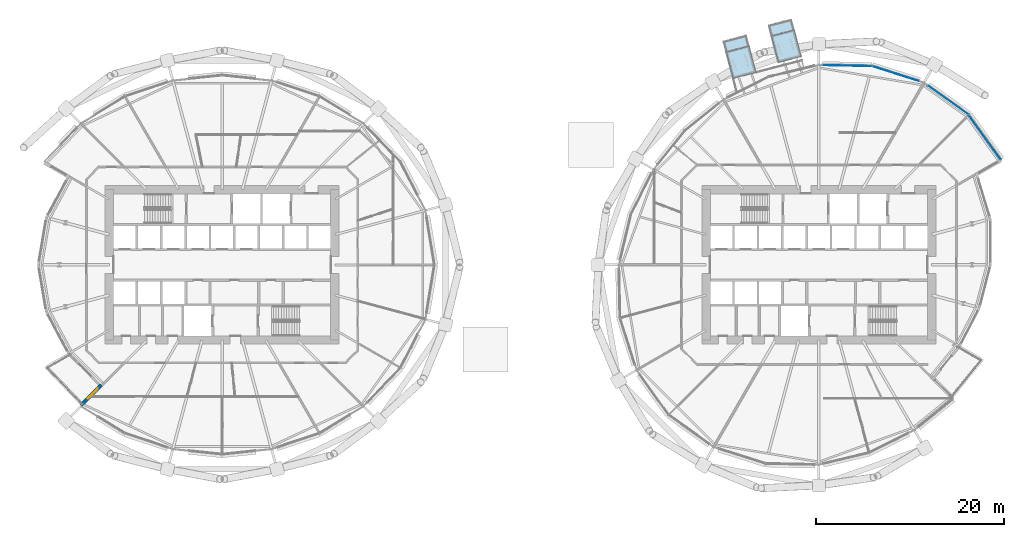
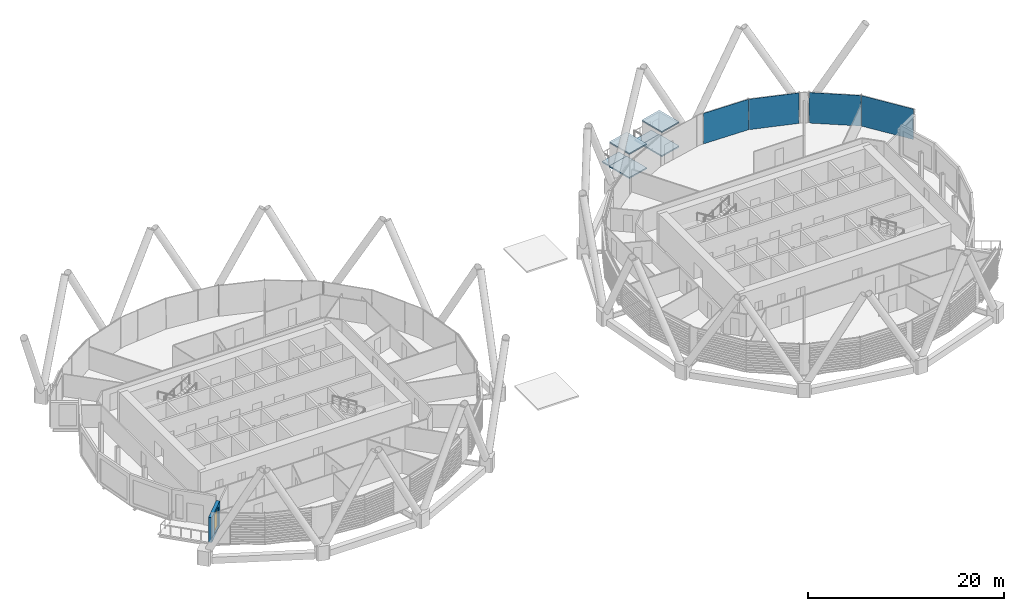
# One storey, part 21 of 34: 6 slabs, 4 plates, 1 wall, 1 window, 1 opening, 1 element without a shape of its own.
"""IFC4 building model written with IfcOpenShell, lengths in metres."""

from ifc_helpers import new_model, si_unit, direction, frame, frame_2d, origin, origin_2d, place, context, subcontext, project, spatial, polyline, rectangle, outline, extrude, material, layer, layer_set, type_object, element, fill, aggregate, save


model = new_model("IFC4")

# Units and contexts
model_context = context("Model", 3, precision=1e-05, world=origin(), true_north=direction((0.0, 1.0)))
body_context = subcontext(model_context, "Body", "Model", "MODEL_VIEW")
ifc_project = project(units=[si_unit("LENGTHUNIT", "METRE"), si_unit("AREAUNIT", "SQUARE_METRE"), si_unit("VOLUMEUNIT", "CUBIC_METRE"), si_unit("PLANEANGLEUNIT", "RADIAN"), si_unit("MASSUNIT", "GRAM", prefix="KILO")], contexts=[model_context])

# Site, building, storey
site_placement = place(None, origin())
site = spatial("IfcSite", under=ifc_project, at=site_placement, CompositionType="ELEMENT")
building_placement = place(site_placement, origin())
building = spatial("IfcBuilding", under=site, at=building_placement, Name="Rimbun Link Towers", CompositionType="ELEMENT")
storey_placement = place(building_placement, frame((0.0, 0.0, 41.39990234375)))
storey = spatial("IfcBuildingStorey", under=building, at=storey_placement, Name="L09", CompositionType="ELEMENT", Elevation=41.39990234375)

# Slabs
ifc_material_1 = material(Name="Insulated metal floor panel on steel frame", Category="steel")
ifc_layer_1 = layer(ifc_material_1, 0.159912109375)
ifc_layer_set_1 = layer_set([ifc_layer_1], Name="CAPSULE balcony panel 160")
slab_type_1 = type_object("IfcSlabType", Name="CAPSULE balcony panel 160", PredefinedType="FLOOR", material=ifc_layer_set_1)
slab_1_placement = place(storey_placement, frame((0.0, 0.0, -0.159912109375)))
element("IfcSlab", 1, at=slab_1_placement, inside=storey, type_object=slab_type_1, Name="CAPSULE D092.01 balcony floor", PredefinedType="FLOOR", context=body_context, shape_type="SweptSolid", body=[
    extrude(outline(polyline([(23.991455078125, 24.329345703125), (21.669677734375, 23.72119140625), (21.948486328125, 22.656982421875), (24.27001953125, 23.26513671875), (23.991455078125, 24.329345703125)])), origin(), (0.0, 0.0, 1.0), 0.159912109375),
])
slab_2_placement = place(storey_placement, frame((0.0, 0.0, -0.159912109375)))
element("IfcSlab", 2, at=slab_2_placement, inside=storey, type_object=slab_type_1, Name="CAPSULE D092.02 balcony floor", PredefinedType="FLOOR", context=body_context, shape_type="SweptSolid", body=[
    extrude(outline(polyline([(28.79931640625, 26.030517578125), (26.4775390625, 25.422607421875), (26.75634765625, 24.3583984375), (29.077880859375, 24.966552734375), (28.79931640625, 26.030517578125)])), origin(), (0.0, 0.0, 1.0), 0.159912109375),
])
ifc_material_2 = material(Name="Insulated metal floor panel on steel frame", Category="steel")
ifc_layer_2 = layer(ifc_material_2, 0.159912109375)
ifc_layer_set_2 = layer_set([ifc_layer_2], Name="CAPSULE floor panel 160")
slab_type_2 = type_object("IfcSlabType", Name="CAPSULE floor panel 160", PredefinedType="FLOOR", material=ifc_layer_set_2)
slab_3_placement = place(storey_placement, frame((0.0, 0.0, -0.159912109375)))
element("IfcSlab", 3, at=slab_3_placement, inside=storey, type_object=slab_type_2, Name="CAPSULE D092.01 floor panel", PredefinedType="FLOOR", context=body_context, shape_type="SweptSolid", body=[
    extrude(outline(polyline([(24.318603515625, 23.27783203125), (21.900146484375, 22.644287109375), (22.634765625, 19.839111328125), (25.05322265625, 20.472412109375), (24.318603515625, 23.27783203125)])), origin(), (0.0, 0.0, 1.0), 0.159912109375),
])
slab_4_placement = place(storey_placement, frame((0.0, 0.0, -0.159912109375)))
element("IfcSlab", 4, at=slab_4_placement, inside=storey, type_object=slab_type_2, Name="CAPSULE D092.02 floor panel", PredefinedType="FLOOR", context=body_context, shape_type="SweptSolid", body=[
    extrude(outline(polyline([(29.126220703125, 24.979248046875), (26.7080078125, 24.345703125), (27.442626953125, 21.540283203125), (29.861083984375, 22.173828125), (29.126220703125, 24.979248046875)])), origin(), (0.0, 0.0, 1.0), 0.159912109375),
])
ifc_material_3 = material(Name="Insulated metal roof panel with terracotta fascia", Category="masonry")
ifc_layer_3 = layer(ifc_material_3, 0.14990234375)
ifc_layer_set_3 = layer_set([ifc_layer_3], Name="CAPSULE roof panel 150")
slab_type_3 = type_object("IfcSlabType", Name="CAPSULE roof panel 150", PredefinedType="ROOF", material=ifc_layer_set_3)
slab_5_placement = place(storey_placement, frame((0.0, 0.0, 2.85009765625)))
element("IfcSlab", 5, at=slab_5_placement, inside=storey, type_object=slab_type_3, Name="CAPSULE D092.01 roof panel", PredefinedType="ROOF", context=body_context, shape_type="SweptSolid", body=[
    extrude(outline(polyline([(24.318603515625, 23.27783203125), (21.900146484375, 22.644287109375), (22.634765625, 19.839111328125), (25.05322265625, 20.472412109375), (24.318603515625, 23.27783203125)])), origin(), (0.0, 0.0, 1.0), 0.14990234375),
])
slab_6_placement = place(storey_placement, frame((0.0, 0.0, 2.85009765625)))
element("IfcSlab", 6, at=slab_6_placement, inside=storey, type_object=slab_type_3, Name="CAPSULE D092.02 roof panel", PredefinedType="ROOF", context=body_context, shape_type="SweptSolid", body=[
    extrude(outline(polyline([(29.126220703125, 24.979248046875), (26.7080078125, 24.345703125), (27.442626953125, 21.540283203125), (29.861083984375, 22.173828125), (29.126220703125, 24.979248046875)])), origin(), (0.0, 0.0, 1.0), 0.14990234375),
])

# Curtain wall, plates
ifc_material_4 = material(Name="Aluminium 6063-T6 and low-iron glass", Category="aluminium")
curtain_wall_type = type_object("IfcCurtainWallType", Name="CW1 unitised vision wall", PredefinedType="NOTDEFINED", material=ifc_material_4)
curtain_wall_placement = place(storey_placement, origin())
curtain_wall = element("IfcCurtainWall", 7, at=curtain_wall_placement, inside=storey, type_object=curtain_wall_type, Name="CW1 L09 T2", PredefinedType="NOTDEFINED")
ifc_material_5 = material(Name="Low-iron glass, laminated low-e unit", Category="glass")
ifc_layer_4 = layer(ifc_material_5, 0.028076171875)
ifc_layer_set_4 = layer_set([ifc_layer_4], Name="CW1 panel Low-iron glass 28")
plate_type = type_object("IfcPlateType", Name="CW1 panel Low-iron glass 28", PredefinedType="CURTAIN_PANEL", material=ifc_layer_set_4)
plate_1_placement = place(storey_placement, frame((45.51904296875, 17.51416015625, 0.0), z_axis=(0.0, 0.0, 1.0), x_axis=(0.812475373202, -0.582995512796, 0.0)))
plate_1 = element("IfcPlate", 8, at=plate_1_placement, type_object=plate_type, Name="CW1 panel", PredefinedType="CURTAIN_PANEL", context=body_context, shape_type="SweptSolid", body=[
    extrude(rectangle(XDim=5.32275390625, YDim=0.028076171875, at=origin_2d()), origin(), (0.0, 0.0, 1.0), 3.800048828125),
])
plate_2_placement = place(storey_placement, frame((39.9326171875, 20.32421875, 0.0), z_axis=(0.0, 0.0, 1.0), x_axis=(0.952967950316, -0.303071090127, 0.0)))
plate_2 = element("IfcPlate", 9, at=plate_2_placement, type_object=plate_type, Name="CW1 panel", PredefinedType="CURTAIN_PANEL", context=body_context, shape_type="SweptSolid", body=[
    extrude(rectangle(XDim=5.25146484375, YDim=0.028076171875, at=origin_2d()), origin(), (0.0, 0.0, 1.0), 3.800048828125),
])
plate_3_placement = place(storey_placement, frame((34.77880859375, 21.18212890625, 0.0), z_axis=(0.0, 0.0, 1.0), x_axis=(0.999778083181, -0.021066190713, 0.0)))
plate_3 = element("IfcPlate", 10, at=plate_3_placement, type_object=plate_type, Name="CW1 panel", PredefinedType="CURTAIN_PANEL", context=body_context, shape_type="SweptSolid", body=[
    extrude(rectangle(XDim=5.21826171875, YDim=0.028076171875, at=origin_2d()), origin(), (0.0, 0.0, 1.0), 3.800048828125),
])
plate_4_placement = place(storey_placement, frame((49.409912109375, 13.56591796875, 0.0), z_axis=(0.0, 0.0, 1.0), x_axis=(0.582995512796, -0.812475373202, 0.0)))
plate_4 = element("IfcPlate", 11, at=plate_4_placement, type_object=plate_type, Name="CW1 panel", PredefinedType="CURTAIN_PANEL", context=body_context, shape_type="SweptSolid", body=[
    extrude(rectangle(XDim=5.82275390625, YDim=0.028076171875, at=origin_2d()), origin(), (0.0, 0.0, 1.0), 3.800048828125),
])
aggregate(curtain_wall, [plate_1, plate_2, plate_3, plate_4])

# Wall, opening, window
ifc_material_6 = material(Name="Dark enamelled glass spandrel on insulated aluminium backpan", Category="aluminium")
ifc_layer_5 = layer(ifc_material_6, 0.3701171875)
ifc_layer_set_5 = layer_set([ifc_layer_5], Name="CS dark enamelled spandrel wall 370")
wall_type = type_object("IfcWallType", Name="CS dark enamelled spandrel wall 370", PredefinedType="STANDARD", material=ifc_layer_set_5)
wall_placement = place(storey_placement, frame((-46.794921875, -14.953125, 0.0), z_axis=(0.0, 0.0, 1.0), x_axis=(0.707067146267, 0.707146413884, 0.0)))
wall = element("IfcWall", 12, at=wall_placement, inside=storey, type_object=wall_type, Name="Crease spandrel wall", PredefinedType="STANDARD", context=body_context, shape_type="SweptSolid", body=[
    extrude(rectangle(XDim=3.079833984375, YDim=0.3701171875, at=frame_2d((1.5400390625, 0.0))), origin(), (0.0, 0.0, 1.0), 3.096923828125),
])
opening_placement = place(wall_placement, frame((1.051513671875, 0.0, 0.300048828125)))
opening = element("IfcOpeningElement", 13, at=opening_placement, cuts=wall, Name="Opening WR15H245", PredefinedType="OPENING", context=body_context, shape_type="SweptSolid", body=[
    extrude(rectangle(XDim=1.5, YDim=2.449951171875, at=frame_2d((0.75, 1.22509765625))), frame((0.0, 0.195068359375, 0.0), z_axis=(0.0, -1.0, 0.0), x_axis=(1.0, 0.0, 0.0)), (0.0, 0.0, 1.0), 0.39013671875),
])
ifc_material_7 = material(Name="Aluminium framed fixed window, dark tinted low-e glass", Category="aluminium")
window_type = type_object("IfcWindowType", Name="WR ribbon window 1500X2450", PartitioningType="SINGLE_PANEL", PredefinedType="WINDOW", material=ifc_material_7)
window_placement = place(opening_placement, origin())
window = element("IfcWindow", 14, at=window_placement, inside=storey, type_object=window_type, Name="Crease ribbon window", OverallHeight=2.449951171875, OverallWidth=1.5, PartitioningType="SINGLE_PANEL", PredefinedType="WINDOW", context=body_context, shape_type="SweptSolid", body=[
    extrude(rectangle(XDim=1.5, YDim=2.449951171875, at=frame_2d((0.75, 1.22509765625))), frame((0.0, 0.030029296875, 0.0), z_axis=(0.0, -1.0, 0.0), x_axis=(1.0, 0.0, 0.0)), (0.0, 0.0, 1.0), 0.06005859375),
])
fill(opening, window)

save(model, "model.ifc")
